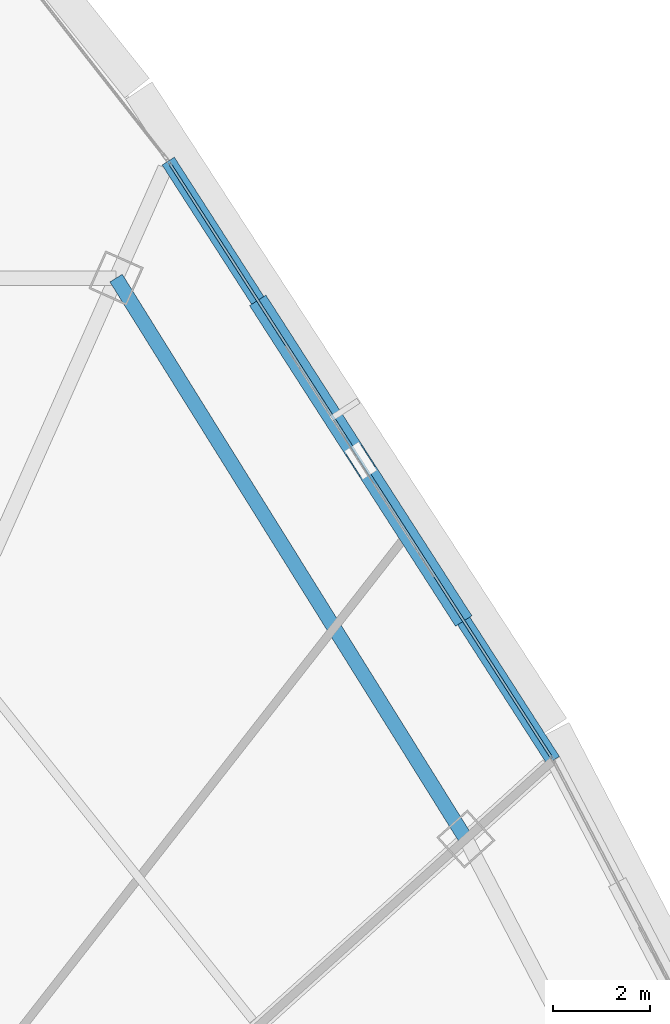
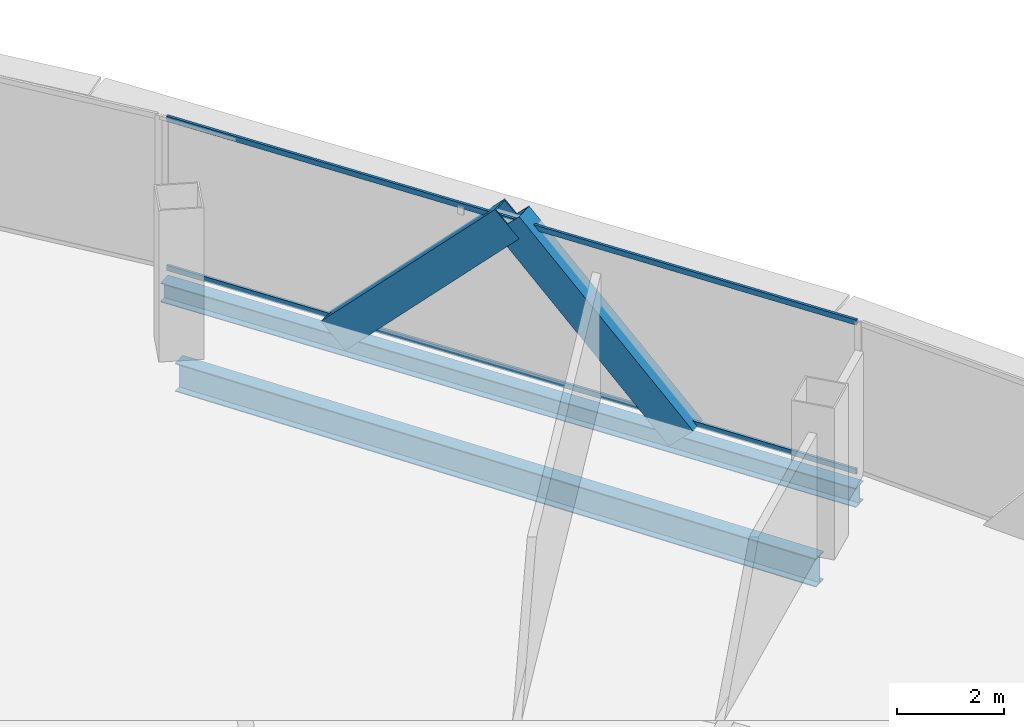
# One storey, part 22 of 36: 4 members, 2 beams, 1 element without a shape of its own.
"""IFC4 building model written with IfcOpenShell, lengths in metres."""

from ifc_helpers import new_model, si_unit, direction, frame, origin, origin_2d, place, context, subcontext, project, spatial, hollow_rectangle, i_section, extrude, source, transform, mapped, material, layer, layer_set, material_profile, profile_set, type_object, element, aggregate, save


model = new_model("IFC4")

# Units and contexts
model_context = context("Model", 3, precision=1e-05, world=origin(), true_north=direction((0.0, 1.0)))
body_context = subcontext(model_context, "Body", "Model", "MODEL_VIEW")
ifc_project = project(units=[si_unit("LENGTHUNIT", "METRE"), si_unit("AREAUNIT", "SQUARE_METRE"), si_unit("VOLUMEUNIT", "CUBIC_METRE"), si_unit("PLANEANGLEUNIT", "RADIAN"), si_unit("MASSUNIT", "GRAM", prefix="KILO"), si_unit("THERMODYNAMICTEMPERATUREUNIT", "KELVIN"), si_unit("POWERUNIT", "WATT")], contexts=[model_context])

# Site, building, storey
site_placement = place(None, origin())
site = spatial("IfcSite", under=ifc_project, at=site_placement, CompositionType="ELEMENT")
building_placement = place(site_placement, origin())
building = spatial("IfcBuilding", under=site, at=building_placement, Name="Yunzhuo Pagoda Commons", CompositionType="ELEMENT")
storey_placement = place(building_placement, frame((0.0, 0.0, 244.530029296875)))
storey = spatial("IfcBuildingStorey", under=building, at=storey_placement, Name="L61", CompositionType="ELEMENT", Elevation=244.530029296875)

# Beams
ifc_material_1 = material(Name="Structural steel Q355B", Category="steel")
ifc_material_profile_1 = material_profile(ifc_material_1, i_section(OverallWidth=0.300048828125, OverallDepth=0.64990234375, WebThickness=0.012939453125, FlangeThickness=0.02197265625, at=origin_2d()), Name="Structural steel Q355B")
ifc_profile_set_1 = profile_set([ifc_material_profile_1], Name="Structural steel Q355B")
beam_type_1 = type_object("IfcBeamType", Name="B-RG2 Beam HN 650x300x13x22", PredefinedType="BEAM", material=ifc_profile_set_1)
shared_shape_1 = source(origin(), body_context, "Body", "SweptSolid", [
    extrude(i_section(OverallWidth=0.300048828125, OverallDepth=0.64990234375, WebThickness=0.012939453125, FlangeThickness=0.02197265625, at=origin_2d()), origin(), (0.0, 0.0, 1.0), 13.615478515625),
])
beam_1_placement = place(storey_placement, frame((68.61181640625, 52.259033203125, -0.5849609375), z_axis=(-0.529178300485, 0.848510651846, 0.0), x_axis=(-0.848510651846, -0.529178300485, 0.0)))
element("IfcBeam", 1, at=beam_1_placement, inside=storey, type_object=beam_type_1, Name="L61 column-ring beam 7", PredefinedType="BEAM", context=body_context, shape_type="MappedRepresentation", body=[
    mapped(shared_shape_1, transform((0.0, 0.0, 0.0), scale=1.0)),
])
ifc_material_profile_2 = material_profile(ifc_material_1, i_section(OverallWidth=0.300048828125, OverallDepth=0.43994140625, WebThickness=0.010986328125, FlangeThickness=0.01806640625, at=origin_2d()), Name="Structural steel Q355B")
ifc_profile_set_2 = profile_set([ifc_material_profile_2], Name="Structural steel Q355B")
beam_type_2 = type_object("IfcBeamType", Name="B-SP2 Beam HM 440x300x11x18", PredefinedType="BEAM", material=ifc_profile_set_2)
shared_shape_2 = source(origin(), body_context, "Body", "SweptSolid", [
    extrude(i_section(OverallWidth=0.300048828125, OverallDepth=0.43994140625, WebThickness=0.010986328125, FlangeThickness=0.01806640625, at=origin_2d()), origin(), (0.0, 0.0, 1.0), 14.67138671875),
])
beam_2_placement = place(storey_placement, frame((70.41162109375, 53.879638671875, -0.47998046875), z_axis=(-0.540601148893, 0.841279024947, 0.0), x_axis=(-0.841279024947, -0.540601148893, 0.0)))
element("IfcBeam", 2, at=beam_2_placement, inside=storey, type_object=beam_type_2, Name="L61 facade edge spandrel beam F2.3", PredefinedType="BEAM", context=body_context, shape_type="MappedRepresentation", body=[
    mapped(shared_shape_2, transform((0.0, 0.0, 0.0), scale=1.0)),
])

# Members
ifc_material_profile_3 = material_profile(ifc_material_1, hollow_rectangle(XDim=0.39990234375, YDim=0.719970703125, WallThickness=0.02392578125, at=origin_2d()), Name="Structural steel Q355B")
ifc_profile_set_3 = profile_set([ifc_material_profile_3], Name="Structural steel Q355B")
member_type_1 = type_object("IfcMemberType", Name="M-DL2 Brace BOX 720x400x24", PredefinedType="BRACE", material=ifc_profile_set_3)
shared_shape_3 = source(origin(), body_context, "Body", "SweptSolid", [
    extrude(hollow_rectangle(XDim=0.39990234375, YDim=0.719970703125, WallThickness=0.02392578125, at=origin_2d()), origin(), (0.0, 0.0, 1.0), 5.231201171875),
])
for number, where, z_axis, x_axis, name in (
    (3, (68.4287109375, 56.96533203125, -0.259765625), (-0.379062057839, 0.589875073754, 0.712993235361), (-0.841271456876, -0.540612926081, 0.0), "L61 facade diamond brace F2.3L"),
    (4, (64.462890625, 63.13671875, -0.259765625), (0.379062057839, -0.589875073754, 0.712993235361), (0.841271456876, 0.540612926081, 0.0), "L61 facade diamond brace F2.3R"),
):
    element("IfcMember", number, at=place(storey_placement, frame(where, z_axis=z_axis, x_axis=x_axis)), inside=storey, type_object=member_type_1, Name=name, PredefinedType="BRACE", context=body_context, shape_type="MappedRepresentation", body=[
        mapped(shared_shape_3, transform((0.0, 0.0, 0.0), scale=1.0)),
    ])

# Curtain wall, members
ifc_material_2 = material(Name="Anodized aluminium 6063-T6", Category="aluminium")
ifc_layer = layer(ifc_material_2, 0.139892578125)
ifc_layer_set = layer_set([ifc_layer], Name="Anodized aluminium 6063-T6")
curtain_wall_type = type_object("IfcCurtainWallType", Name="CW-HI High-Zone Ribbon Curtain Wall", PredefinedType="NOTDEFINED", material=ifc_layer_set)
curtain_wall_placement = place(storey_placement, origin())
curtain_wall = element("IfcCurtainWall", 5, at=curtain_wall_placement, inside=storey, type_object=curtain_wall_type, Name="L61 curtain wall CW-L61-F2B4", PredefinedType="NOTDEFINED")
ifc_material_profile_4 = material_profile(ifc_material_2, hollow_rectangle(XDim=0.054931640625, YDim=0.1201171875, WallThickness=0.00341796875, at=origin_2d()), Name="Anodized aluminium 6063-T6")
ifc_profile_set_4 = profile_set([ifc_material_profile_4], Name="Anodized aluminium 6063-T6")
member_type_2 = type_object("IfcMemberType", Name="CW-HI-T Transom RHS 120x55x3.5", PredefinedType="USERDEFINED", material=ifc_profile_set_4)
shared_shape_4 = source(origin(), body_context, "Body", "SweptSolid", [
    extrude(hollow_rectangle(XDim=0.054931640625, YDim=0.1201171875, WallThickness=0.00341796875, at=origin_2d()), origin(), (0.0, 0.0, 1.0), 14.5517578125),
])
member_1_placement = place(storey_placement, frame((70.379150390625, 53.93017578125, 0.027587890625), z_axis=(-0.540605797284, 0.841276037899, 0.0), x_axis=(-0.841276037899, -0.540605797284, 0.0)))
member_1 = element("IfcMember", 6, at=member_1_placement, type_object=member_type_2, Name="CW transom 1.1", ObjectType="TRANSOM", PredefinedType="USERDEFINED", context=body_context, shape_type="MappedRepresentation", body=[
    mapped(shared_shape_4, transform((0.0, 0.0, 0.0), scale=1.0)),
])
member_2_placement = place(storey_placement, frame((70.379150390625, 53.93017578125, 3.4423828125), z_axis=(-0.540605797284, 0.841276037899, 0.0), x_axis=(-0.841276037899, -0.540605797284, 0.0)))
member_2 = element("IfcMember", 7, at=member_2_placement, type_object=member_type_2, Name="CW transom 1.2", ObjectType="TRANSOM", PredefinedType="USERDEFINED", context=body_context, shape_type="MappedRepresentation", body=[
    mapped(shared_shape_4, transform((0.0, 0.0, 0.0), scale=1.0)),
])
aggregate(curtain_wall, [member_1, member_2])

save(model, "model.ifc")
